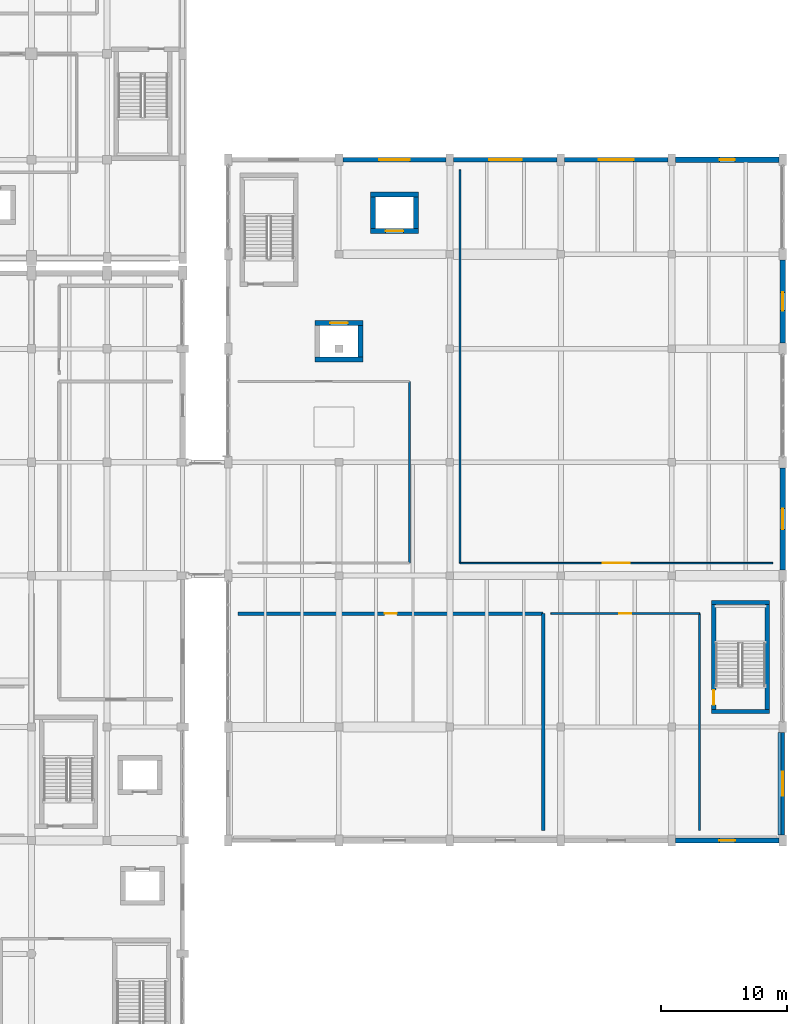
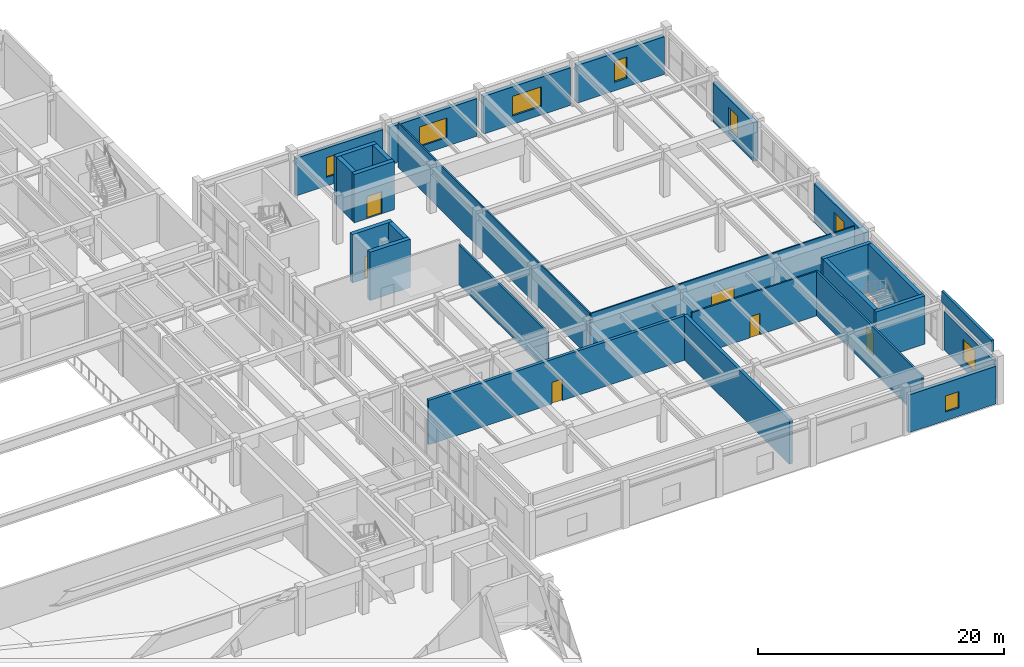
# One storey, part 67 of 85: 27 walls, 8 windows, 6 doors, 14 openings.
"""IFC4 building model written with IfcOpenShell, lengths in metres."""

import ifcopenshell
import ifcopenshell.guid

model = None  # the IFC model being written
_history = None  # IfcOwnerHistory: only IFC2X3 demands one
_inside = {}  # id of a spatial element -> (the spatial element, [elements in it])
_under = {}  # id of a project, library or spatial element -> (it, [spatial elements below it])
_declared = {}  # id of a project -> (the project, [libraries it declares])
_typed = {}  # id of a type object -> (the type object, [elements of that type])
_made_of = {}  # id of a material, layer set ... -> (it, [elements and type objects made of it])


def new_model(schema):
    """Start an empty IFC model of exactly this schema.

    Asked for "IFC4X3", IfcOpenShell would pick the latest addendum, in which some entities
    have other attributes; the version numbers below select the first issue.
    IFC2X3 requires an IfcOwnerHistory on every rooted entity: one is made here for all.
    """
    global model, _history
    if schema == "IFC4X3":
        model = ifcopenshell.file(schema_version=(4, 3, 0, 0))
    else:
        model = ifcopenshell.file(schema=schema)
    _inside.clear()
    _under.clear()
    _declared.clear()
    _typed.clear()
    _made_of.clear()
    _history = None
    if model.schema == "IFC2X3":
        org = make("IfcOrganization", Name="unknown")
        user = make(
            "IfcPersonAndOrganization",
            ThePerson=make("IfcPerson", FamilyName="unknown"),
            TheOrganization=org,
        )
        app = make(
            "IfcApplication",
            ApplicationDeveloper=org,
            Version="unknown",
            ApplicationFullName="unknown",
            ApplicationIdentifier="unknown",
        )
        _history = make(
            "IfcOwnerHistory",
            OwningUser=user,
            OwningApplication=app,
            ChangeAction="ADDED",
            CreationDate=0,
        )
    return model


def make(cls, **values):
    """One entity of the class cls with the attributes given. An attribute that is None is left unset."""
    return model.create_entity(
        cls, **{name: value for name, value in values.items() if value is not None}
    )


def rooted(cls, **values):
    """An entity with a GlobalId (a new one), such as an element, a storey or a relation."""
    return make(cls, GlobalId=ifcopenshell.guid.new(), OwnerHistory=_history, **values)


def si_unit(unit_type, name, prefix=None):
    """IfcSIUnit, for example si_unit("LENGTHUNIT", "METRE", prefix="MILLI")."""
    return make("IfcSIUnit", UnitType=unit_type, Prefix=prefix, Name=name)


def assignment(units):
    """IfcUnitAssignment: the units of a project."""
    return None if units is None else make("IfcUnitAssignment", Units=units)


def point(xyz):
    """IfcCartesianPoint."""
    return None if xyz is None else make("IfcCartesianPoint", Coordinates=xyz)


def direction(xyz):
    """IfcDirection."""
    return None if xyz is None else make("IfcDirection", DirectionRatios=xyz)


def frame(location, z_axis=None, x_axis=None):
    """IfcAxis2Placement3D, a coordinate frame: its origin and axes. An axis left out is left unset."""
    return make(
        "IfcAxis2Placement3D",
        Location=point(location),
        Axis=direction(z_axis),
        RefDirection=direction(x_axis),
    )


def frame_2d(location, x_axis=None):
    """IfcAxis2Placement2D, a coordinate frame in the plane: its origin and x axis."""
    return make(
        "IfcAxis2Placement2D", Location=point(location), RefDirection=direction(x_axis)
    )


def origin():
    """The frame at (0, 0, 0) with its axes left unset."""
    return frame((0.0, 0.0, 0.0))


def place(relative_to, where):
    """IfcLocalPlacement: puts the frame where relative to a parent placement (None: the world)."""
    return make(
        "IfcLocalPlacement", PlacementRelTo=relative_to, RelativePlacement=where
    )


def context(
    kind, dimensions, precision=None, world=None, true_north=None, identifier=None
):
    """IfcGeometricRepresentationContext, for example the 3D "Model" context."""
    return make(
        "IfcGeometricRepresentationContext",
        ContextIdentifier=identifier,
        ContextType=kind,
        CoordinateSpaceDimension=dimensions,
        Precision=precision,
        WorldCoordinateSystem=world,
        TrueNorth=true_north,
    )


def subcontext(parent, identifier, kind, view, scale=None):
    """IfcGeometricRepresentationSubContext, for example "Body" below "Model"."""
    return make(
        "IfcGeometricRepresentationSubContext",
        ContextIdentifier=identifier,
        ContextType=kind,
        ParentContext=parent,
        TargetScale=scale,
        TargetView=view,
    )


def project(units=None, contexts=None):
    """IfcProject with its units and contexts."""
    return rooted(
        "IfcProject",
        Name="project",
        RepresentationContexts=contexts,
        UnitsInContext=assignment(units),
    )


def spatial(cls, under=None, at=None, **own):
    """A site, building, storey or space (cls), placed at a placement, below another one or the project."""
    s = rooted(cls, ObjectPlacement=at, **own)
    if under is not None:
        _under.setdefault(under.id(), (under, []))[1].append(s)
    return s


def profile(cls, at=None, kind="AREA", **sizes):
    """A parametric profile (cls). Its sizes go by their IFC names, for example OverallWidth=200.0."""
    return make(cls, ProfileType=kind, Position=at, **sizes)


def rectangle(**sizes):
    """IfcRectangleProfileDef."""
    return profile("IfcRectangleProfileDef", **sizes)


def extrude(swept, where, along, depth):
    """IfcExtrudedAreaSolid: the profile swept, set in the frame where, extruded along a direction by depth."""
    return make(
        "IfcExtrudedAreaSolid",
        SweptArea=swept,
        Position=where,
        ExtrudedDirection=direction(along),
        Depth=depth,
    )


def shape(context_of_items, identifier, shape_type, items):
    """IfcShapeRepresentation: the items that make up one representation, for example the "Body"."""
    return make(
        "IfcShapeRepresentation",
        ContextOfItems=context_of_items,
        RepresentationIdentifier=identifier,
        RepresentationType=shape_type,
        Items=items,
    )


def material(Name=None, Category=None):
    """IfcMaterial."""
    return make("IfcMaterial", Name=Name, Category=Category)


def layer(
    of_material, thickness, ventilated=None, Name=None, Category=None, Priority=None
):
    """IfcMaterialLayer: one layer of a wall or slab, of a material (None: an air gap)."""
    return make(
        "IfcMaterialLayer",
        Material=of_material,
        LayerThickness=thickness,
        IsVentilated=ventilated,
        Name=Name,
        Category=Category,
        Priority=Priority,
    )


def layer_set(layers, Name=None):
    """IfcMaterialLayerSet."""
    return make("IfcMaterialLayerSet", MaterialLayers=layers, LayerSetName=Name)


def made_of(thing, what):
    """Note that an element or type object is made of a material, layer set ...; save() writes the relation."""
    if what is not None:
        _made_of.setdefault(what.id(), (what, []))[1].append(thing)
    return thing


def type_object(cls, material=None, **own):
    """A type object (cls), such as IfcWallType, which elements share."""
    return made_of(rooted(cls, **own), material)


def element(
    cls,
    number,
    at=None,
    inside=None,
    cuts=None,
    type_object=None,
    material=None,
    context=None,
    identifier="Body",
    shape_type=None,
    held_by="IfcProductDefinitionShape",
    body=None,
    shapes=None,
    **own,
):
    """One element of the class cls, such as IfcWall. Its Tag is "e" and its number.

    at: its placement. inside: the storey or other place that contains it. cuts: it is an
    opening in that element (IfcRelVoidsElement). A single representation is given by context,
    identifier, shape_type and body (its items); several are given by shapes. held_by: the class
    of the entity that holds the representations. save() writes the other relations.
    """
    e = rooted(cls, Tag="e%d" % number, ObjectPlacement=at, **own)
    if body is not None:
        shapes = [shape(context, identifier, shape_type, body)]
    if shapes is not None:
        e.Representation = make(held_by, Representations=shapes)
    if inside is not None:
        _inside.setdefault(inside.id(), (inside, []))[1].append(e)
    if cuts is not None:
        rooted(
            "IfcRelVoidsElement", RelatingBuildingElement=cuts, RelatedOpeningElement=e
        )
    if type_object is not None:
        _typed.setdefault(type_object.id(), (type_object, []))[1].append(e)
    return made_of(e, material)


def fill(opening, filler):
    """IfcRelFillsElement: the door or window that sits in an opening."""
    return rooted(
        "IfcRelFillsElement",
        RelatingOpeningElement=opening,
        RelatedBuildingElement=filler,
    )


def aggregate(whole, parts):
    """IfcRelAggregates: a whole, such as a stair, and the parts it consists of."""
    return rooted("IfcRelAggregates", RelatingObject=whole, RelatedObjects=parts)


def save(model, path):
    """Write the relations noted so far, then the file.

    IfcRelAggregates (storeys below a building ...), IfcRelContainedInSpatialStructure (elements
    in a storey), IfcRelDefinesByType, IfcRelAssociatesMaterial and IfcRelDeclares: one each for
    every whole, place, type object, material and project.
    """
    for whole, parts in _under.values():
        aggregate(whole, parts)
    for where, things in _inside.values():
        rooted(
            "IfcRelContainedInSpatialStructure",
            RelatedElements=things,
            RelatingStructure=where,
        )
    for kind, things in _typed.values():
        rooted("IfcRelDefinesByType", RelatedObjects=things, RelatingType=kind)
    for what, things in _made_of.values():
        rooted("IfcRelAssociatesMaterial", RelatedObjects=things, RelatingMaterial=what)
    for by, libraries in _declared.values():
        rooted("IfcRelDeclares", RelatingContext=by, RelatedDefinitions=libraries)
    model.write(path)


model = new_model("IFC4")

# Units and contexts
model_context = context("Model", 3, precision=1e-05, world=origin(), true_north=direction((0.0, 1.0)))
body_context = subcontext(model_context, "Body", "Model", "MODEL_VIEW")
ifc_project = project(units=[si_unit("LENGTHUNIT", "METRE"), si_unit("AREAUNIT", "SQUARE_METRE"), si_unit("VOLUMEUNIT", "CUBIC_METRE"), si_unit("PLANEANGLEUNIT", "RADIAN"), si_unit("MASSUNIT", "GRAM", prefix="KILO")], contexts=[model_context])

# Site, building, storey
site_placement = place(None, origin())
site = spatial("IfcSite", under=ifc_project, at=site_placement, CompositionType="ELEMENT")
building_placement = place(site_placement, origin())
building = spatial("IfcBuilding", under=site, at=building_placement, Name="Vaelkrest Opera House", CompositionType="ELEMENT")
storey_placement = place(building_placement, frame((0.0, 0.0, 10.199951171875)))
storey = spatial("IfcBuildingStorey", under=building, at=storey_placement, Name="L02", CompositionType="ELEMENT", Elevation=10.199951171875)

# Wall, opening, window
ifc_material_1 = material(Name="Douglas fir glulam GL28h", Category="wood")
ifc_layer_1 = layer(ifc_material_1, 0.2548828125)
ifc_layer_set_1 = layer_set([ifc_layer_1], Name="Douglas fir glulam GL28h")
wall_type_1 = type_object("IfcWallType", Name="EW01", PredefinedType="STANDARD", material=ifc_layer_set_1)
wall_1_placement = place(storey_placement, frame((77.60009765625, -20.248046875, 0.0), z_axis=(0.0, 0.0, 1.0), x_axis=(0.0, -1.0, 0.0)))
wall_1 = element("IfcWall", 1, at=wall_1_placement, inside=storey, type_object=wall_type_1, Name="Exterior facade wall EW-V4-L02-0261", PredefinedType="STANDARD", context=body_context, shape_type="SweptSolid", body=[
    extrude(rectangle(XDim=8.10400390625, YDim=0.2548828125, at=frame_2d((4.052001953125, 0.0))), origin(), (0.0, 0.0, 1.0), 3.8291015625),
])
opening_1_placement = place(wall_1_placement, frame((3.10205078125, 0.0, 0.85009765625)))
opening_1 = element("IfcOpeningElement", 2, at=opening_1_placement, cuts=wall_1, Name="Opening WN146", PredefinedType="OPENING", context=body_context, shape_type="SweptSolid", body=[
    extrude(rectangle(XDim=1.89990234375, YDim=2.10009765625, at=frame_2d((0.949951171875, 1.050048828125))), frame((0.0, 0.137451171875, 0.0), z_axis=(0.0, -1.0, 0.0), x_axis=(1.0, 0.0, 0.0)), (0.0, 0.0, 1.0), 0.27490234375),
])
ifc_material_2 = material(Name="Double low-E insulated glazing", Category="glass")
window_type_1 = type_object("IfcWindowType", Name="WT16", PartitioningType="SINGLE_PANEL", PredefinedType="WINDOW", material=ifc_material_2)
window_1_placement = place(opening_1_placement, origin())
window_1 = element("IfcWindow", 3, at=window_1_placement, inside=storey, type_object=window_type_1, Name="Facade window WN146", OverallHeight=2.10009765625, OverallWidth=1.89990234375, PartitioningType="SINGLE_PANEL", PredefinedType="WINDOW", context=body_context, shape_type="SweptSolid", body=[
    extrude(rectangle(XDim=1.89990234375, YDim=2.10009765625, at=frame_2d((0.949951171875, 1.050048828125))), frame((0.0, 0.030029296875, 0.0), z_axis=(0.0, -1.0, 0.0), x_axis=(1.0, 0.0, 0.0)), (0.0, 0.0, 1.0), 0.06005859375),
])
fill(opening_1, window_1)

ifc_material_3 = material(Name="American black walnut acoustic timber", Category="wood")
ifc_layer_2 = layer(ifc_material_3, 0.3349609375)
ifc_layer_set_2 = layer_set([ifc_layer_2], Name="American black walnut acoustic timber")
wall_type_2 = type_object("IfcWallType", Name="EW05", PredefinedType="STANDARD", material=ifc_layer_set_2)
wall_2_placement = place(storey_placement, frame((42.697998046875, 25.199951171875, 0.0), z_axis=(0.0, 0.0, 1.0), x_axis=(1.0, 0.0, 0.0)))
wall_2 = element("IfcWall", 4, at=wall_2_placement, inside=storey, type_object=wall_type_2, Name="Exterior facade wall EW-V4-L02-0255", PredefinedType="STANDARD", context=body_context, shape_type="SweptSolid", body=[
    extrude(rectangle(XDim=8.2041015625, YDim=0.3349609375, at=frame_2d((4.10205078125, 0.0))), origin(), (0.0, 0.0, 1.0), 3.7451171875),
])
opening_2_placement = place(wall_2_placement, frame((2.876953125, 0.0, 0.85009765625)))
opening_2 = element("IfcOpeningElement", 5, at=opening_2_placement, cuts=wall_2, Name="Opening WN140", PredefinedType="OPENING", context=body_context, shape_type="SweptSolid", body=[
    extrude(rectangle(XDim=2.449951171875, YDim=1.949951171875, at=frame_2d((1.22509765625, 0.97509765625))), frame((0.0, 0.177490234375, 0.0), z_axis=(0.0, -1.0, 0.0), x_axis=(1.0, 0.0, 0.0)), (0.0, 0.0, 1.0), 0.35498046875),
])
window_type_2 = type_object("IfcWindowType", Name="WT10", PartitioningType="SINGLE_PANEL", PredefinedType="WINDOW", material=ifc_material_2)
window_2_placement = place(opening_2_placement, origin())
window_2 = element("IfcWindow", 6, at=window_2_placement, inside=storey, type_object=window_type_2, Name="Facade window WN140", OverallHeight=1.949951171875, OverallWidth=2.449951171875, PartitioningType="SINGLE_PANEL", PredefinedType="WINDOW", context=body_context, shape_type="SweptSolid", body=[
    extrude(rectangle(XDim=2.449951171875, YDim=1.949951171875, at=frame_2d((1.22509765625, 0.97509765625))), frame((0.0, 0.030029296875, 0.0), z_axis=(0.0, -1.0, 0.0), x_axis=(1.0, 0.0, 0.0)), (0.0, 0.0, 1.0), 0.06005859375),
])
fill(opening_2, window_2)

ifc_layer_3 = layer(ifc_material_3, 0.360107421875)
ifc_layer_set_3 = layer_set([ifc_layer_3], Name="American black walnut acoustic timber")
wall_type_3 = type_object("IfcWallType", Name="EW06", PredefinedType="STANDARD", material=ifc_layer_set_3)
wall_3_placement = place(storey_placement, frame((51.498046875, 25.199951171875, 0.0), z_axis=(0.0, 0.0, 1.0), x_axis=(1.0, 0.0, 0.0)))
wall_3 = element("IfcWall", 7, at=wall_3_placement, inside=storey, type_object=wall_type_3, Name="Exterior facade wall EW-V4-L02-0256", PredefinedType="STANDARD", context=body_context, shape_type="SweptSolid", body=[
    extrude(rectangle(XDim=8.203857421875, YDim=0.360107421875, at=frame_2d((4.10205078125, 0.0))), origin(), (0.0, 0.0, 1.0), 3.7451171875),
])
opening_3_placement = place(wall_3_placement, frame((2.802001953125, 0.0, 0.85009765625)))
opening_3 = element("IfcOpeningElement", 8, at=opening_3_placement, cuts=wall_3, Name="Opening WN141", PredefinedType="OPENING", context=body_context, shape_type="SweptSolid", body=[
    extrude(rectangle(XDim=2.60009765625, YDim=1.949951171875, at=frame_2d((1.300048828125, 0.97509765625))), frame((0.0, 0.18994140625, 0.0), z_axis=(0.0, -1.0, 0.0), x_axis=(1.0, 0.0, 0.0)), (0.0, 0.0, 1.0), 0.380126953125),
])
window_type_3 = type_object("IfcWindowType", Name="WT11", PartitioningType="SINGLE_PANEL", PredefinedType="WINDOW", material=ifc_material_2)
window_3_placement = place(opening_3_placement, origin())
window_3 = element("IfcWindow", 9, at=window_3_placement, inside=storey, type_object=window_type_3, Name="Facade window WN141", OverallHeight=1.949951171875, OverallWidth=2.60009765625, PartitioningType="SINGLE_PANEL", PredefinedType="WINDOW", context=body_context, shape_type="SweptSolid", body=[
    extrude(rectangle(XDim=2.60009765625, YDim=1.949951171875, at=frame_2d((1.300048828125, 0.97509765625))), frame((0.0, 0.030029296875, 0.0), z_axis=(0.0, -1.0, 0.0), x_axis=(1.0, 0.0, 0.0)), (0.0, 0.0, 1.0), 0.06005859375),
])
fill(opening_3, window_3)

ifc_material_4 = material(Name="Concrete C40/50", Category="concrete")
ifc_layer_4 = layer(ifc_material_4, 0.385009765625)
ifc_layer_set_4 = layer_set([ifc_layer_4], Name="Concrete C40/50")
wall_type_4 = type_object("IfcWallType", Name="EW07", PredefinedType="STANDARD", material=ifc_layer_set_4)
wall_4_placement = place(storey_placement, frame((77.302001953125, -28.800048828125, 0.0), z_axis=(0.0, 0.0, 1.0), x_axis=(-1.0, 0.0, 0.0)))
wall_4 = element("IfcWall", 10, at=wall_4_placement, inside=storey, type_object=wall_type_4, Name="Exterior facade wall EW-V4-L02-0247", PredefinedType="STANDARD", context=body_context, shape_type="SweptSolid", body=[
    extrude(rectangle(XDim=8.2041015625, YDim=0.385009765625, at=frame_2d((4.10205078125, 0.0))), origin(), (0.0, 0.0, 1.0), 3.7451171875),
])
opening_4_placement = place(wall_4_placement, frame((3.47705078125, 0.0, 0.85009765625)))
opening_4 = element("IfcOpeningElement", 11, at=opening_4_placement, cuts=wall_4, Name="Opening WN132", PredefinedType="OPENING", context=body_context, shape_type="SweptSolid", body=[
    extrude(rectangle(XDim=1.25, YDim=1.60009765625, at=frame_2d((0.625, 0.800048828125))), frame((0.0, 0.202392578125, 0.0), z_axis=(0.0, -1.0, 0.0), x_axis=(1.0, 0.0, 0.0)), (0.0, 0.0, 1.0), 0.405029296875),
])
window_type_4 = type_object("IfcWindowType", Name="WT02", PartitioningType="SINGLE_PANEL", PredefinedType="WINDOW", material=ifc_material_2)
window_4_placement = place(opening_4_placement, origin())
window_4 = element("IfcWindow", 12, at=window_4_placement, inside=storey, type_object=window_type_4, Name="Facade window WN132", OverallHeight=1.60009765625, OverallWidth=1.25, PartitioningType="SINGLE_PANEL", PredefinedType="WINDOW", context=body_context, shape_type="SweptSolid", body=[
    extrude(rectangle(XDim=1.25, YDim=1.60009765625, at=frame_2d((0.625, 0.800048828125))), frame((0.0, 0.030029296875, 0.0), z_axis=(0.0, -1.0, 0.0), x_axis=(1.0, 0.0, 0.0)), (0.0, 0.0, 1.0), 0.06005859375),
])
fill(opening_4, window_4)

wall_5_placement = place(storey_placement, frame((60.298095703125, 25.199951171875, 0.0), z_axis=(0.0, 0.0, 1.0), x_axis=(1.0, 0.0, 0.0)))
wall_5 = element("IfcWall", 13, at=wall_5_placement, inside=storey, type_object=wall_type_4, Name="Exterior facade wall EW-V4-L02-0257", PredefinedType="STANDARD", context=body_context, shape_type="SweptSolid", body=[
    extrude(rectangle(XDim=8.203857421875, YDim=0.385009765625, at=frame_2d((4.10205078125, 0.0))), origin(), (0.0, 0.0, 1.0), 3.7451171875),
])
opening_5_placement = place(wall_5_placement, frame((2.72705078125, 0.0, 0.85009765625)))
opening_5 = element("IfcOpeningElement", 14, at=opening_5_placement, cuts=wall_5, Name="Opening WN142", PredefinedType="OPENING", context=body_context, shape_type="SweptSolid", body=[
    extrude(rectangle(XDim=2.75, YDim=1.949951171875, at=frame_2d((1.375, 0.97509765625))), frame((0.0, 0.202392578125, 0.0), z_axis=(0.0, -1.0, 0.0), x_axis=(1.0, 0.0, 0.0)), (0.0, 0.0, 1.0), 0.405029296875),
])
window_type_5 = type_object("IfcWindowType", Name="WT12", PartitioningType="SINGLE_PANEL", PredefinedType="WINDOW", material=ifc_material_2)
window_5_placement = place(opening_5_placement, origin())
window_5 = element("IfcWindow", 15, at=window_5_placement, inside=storey, type_object=window_type_5, Name="Facade window WN142", OverallHeight=1.949951171875, OverallWidth=2.75, PartitioningType="SINGLE_PANEL", PredefinedType="WINDOW", context=body_context, shape_type="SweptSolid", body=[
    extrude(rectangle(XDim=2.75, YDim=1.949951171875, at=frame_2d((1.375, 0.97509765625))), frame((0.0, 0.030029296875, 0.0), z_axis=(0.0, -1.0, 0.0), x_axis=(1.0, 0.0, 0.0)), (0.0, 0.0, 1.0), 0.06005859375),
])
fill(opening_5, window_5)

ifc_layer_5 = layer(ifc_material_4, 0.409912109375)
ifc_layer_set_5 = layer_set([ifc_layer_5], Name="Concrete C40/50")
wall_type_5 = type_object("IfcWallType", Name="EW08", PredefinedType="STANDARD", material=ifc_layer_set_5)
wall_6_placement = place(storey_placement, frame((69.097900390625, 25.199951171875, 0.0), z_axis=(0.0, 0.0, 1.0), x_axis=(1.0, 0.0, 0.0)))
wall_6 = element("IfcWall", 16, at=wall_6_placement, inside=storey, type_object=wall_type_5, Name="Exterior facade wall EW-V4-L02-0258", PredefinedType="STANDARD", context=body_context, shape_type="SweptSolid", body=[
    extrude(rectangle(XDim=8.2041015625, YDim=0.409912109375, at=frame_2d((4.10205078125, 0.0))), origin(), (0.0, 0.0, 1.0), 3.7451171875),
])
opening_6_placement = place(wall_6_placement, frame((3.501953125, 0.0, 0.85009765625)))
opening_6 = element("IfcOpeningElement", 17, at=opening_6_placement, cuts=wall_6, Name="Opening WN143", PredefinedType="OPENING", context=body_context, shape_type="SweptSolid", body=[
    extrude(rectangle(XDim=1.199951171875, YDim=2.10009765625, at=frame_2d((0.60009765625, 1.050048828125))), frame((0.0, 0.21484375, 0.0), z_axis=(0.0, -1.0, 0.0), x_axis=(1.0, 0.0, 0.0)), (0.0, 0.0, 1.0), 0.429931640625),
])
window_type_6 = type_object("IfcWindowType", Name="WT13", PartitioningType="SINGLE_PANEL", PredefinedType="WINDOW", material=ifc_material_2)
window_6_placement = place(opening_6_placement, origin())
window_6 = element("IfcWindow", 18, at=window_6_placement, inside=storey, type_object=window_type_6, Name="Facade window WN143", OverallHeight=2.10009765625, OverallWidth=1.199951171875, PartitioningType="SINGLE_PANEL", PredefinedType="WINDOW", context=body_context, shape_type="SweptSolid", body=[
    extrude(rectangle(XDim=1.199951171875, YDim=2.10009765625, at=frame_2d((0.60009765625, 1.050048828125))), frame((0.0, 0.030029296875, 0.0), z_axis=(0.0, -1.0, 0.0), x_axis=(1.0, 0.0, 0.0)), (0.0, 0.0, 1.0), 0.06005859375),
])
fill(opening_6, window_6)

ifc_layer_6 = layer(ifc_material_4, 0.43505859375)
ifc_layer_set_6 = layer_set([ifc_layer_6], Name="Concrete C40/50")
wall_type_6 = type_object("IfcWallType", Name="EW09", PredefinedType="STANDARD", material=ifc_layer_set_6)
wall_7_placement = place(storey_placement, frame((77.60009765625, 17.251953125, 0.0), z_axis=(0.0, 0.0, 1.0), x_axis=(0.0, -1.0, 0.0)))
wall_7 = element("IfcWall", 19, at=wall_7_placement, inside=storey, type_object=wall_type_6, Name="Exterior facade wall EW-V4-L02-0259", PredefinedType="STANDARD", context=body_context, shape_type="SweptSolid", body=[
    extrude(rectangle(XDim=6.60400390625, YDim=0.43505859375, at=frame_2d((3.302001953125, 0.0))), origin(), (0.0, 0.0, 1.0), 3.8291015625),
])
opening_7_placement = place(wall_7_placement, frame((2.576904296875, 0.0, 0.85009765625)))
opening_7 = element("IfcOpeningElement", 20, at=opening_7_placement, cuts=wall_7, Name="Opening WN144", PredefinedType="OPENING", context=body_context, shape_type="SweptSolid", body=[
    extrude(rectangle(XDim=1.449951171875, YDim=2.10009765625, at=frame_2d((0.72509765625, 1.050048828125))), frame((0.0, 0.2275390625, 0.0), z_axis=(0.0, -1.0, 0.0), x_axis=(1.0, 0.0, 0.0)), (0.0, 0.0, 1.0), 0.455078125),
])
window_type_7 = type_object("IfcWindowType", Name="WT14", PartitioningType="SINGLE_PANEL", PredefinedType="WINDOW", material=ifc_material_2)
window_7_placement = place(opening_7_placement, origin())
window_7 = element("IfcWindow", 21, at=window_7_placement, inside=storey, type_object=window_type_7, Name="Facade window WN144", OverallHeight=2.10009765625, OverallWidth=1.449951171875, PartitioningType="SINGLE_PANEL", PredefinedType="WINDOW", context=body_context, shape_type="SweptSolid", body=[
    extrude(rectangle(XDim=1.449951171875, YDim=2.10009765625, at=frame_2d((0.72509765625, 1.050048828125))), frame((0.0, 0.030029296875, 0.0), z_axis=(0.0, -1.0, 0.0), x_axis=(1.0, 0.0, 0.0)), (0.0, 0.0, 1.0), 0.06005859375),
])
fill(opening_7, window_7)

ifc_layer_7 = layer(ifc_material_4, 0.465087890625)
ifc_layer_set_7 = layer_set([ifc_layer_7], Name="Concrete C40/50")
wall_type_7 = type_object("IfcWallType", Name="EW10", PredefinedType="STANDARD", material=ifc_layer_set_7)
wall_8_placement = place(storey_placement, frame((77.60009765625, 0.751953125, 0.0), z_axis=(0.0, 0.0, 1.0), x_axis=(0.0, -1.0, 0.0)))
wall_8 = element("IfcWall", 22, at=wall_8_placement, inside=storey, type_object=wall_type_7, Name="Exterior facade wall EW-V4-L02-0260", PredefinedType="STANDARD", context=body_context, shape_type="SweptSolid", body=[
    extrude(rectangle(XDim=8.10400390625, YDim=0.465087890625, at=frame_2d((4.052001953125, 0.0))), origin(), (0.0, 0.0, 1.0), 3.8291015625),
])
opening_8_placement = place(wall_8_placement, frame((3.22705078125, 0.0, 0.85009765625)))
opening_8 = element("IfcOpeningElement", 23, at=opening_8_placement, cuts=wall_8, Name="Opening WN145", PredefinedType="OPENING", context=body_context, shape_type="SweptSolid", body=[
    extrude(rectangle(XDim=1.64990234375, YDim=2.10009765625, at=frame_2d((0.824951171875, 1.050048828125))), frame((0.0, 0.242431640625, 0.0), z_axis=(0.0, -1.0, 0.0), x_axis=(1.0, 0.0, 0.0)), (0.0, 0.0, 1.0), 0.485107421875),
])
window_type_8 = type_object("IfcWindowType", Name="WT15", PartitioningType="SINGLE_PANEL", PredefinedType="WINDOW", material=ifc_material_2)
window_8_placement = place(opening_8_placement, origin())
window_8 = element("IfcWindow", 24, at=window_8_placement, inside=storey, type_object=window_type_8, Name="Facade window WN145", OverallHeight=2.10009765625, OverallWidth=1.64990234375, PartitioningType="SINGLE_PANEL", PredefinedType="WINDOW", context=body_context, shape_type="SweptSolid", body=[
    extrude(rectangle(XDim=1.64990234375, YDim=2.10009765625, at=frame_2d((0.824951171875, 1.050048828125))), frame((0.0, 0.030029296875, 0.0), z_axis=(0.0, -1.0, 0.0), x_axis=(1.0, 0.0, 0.0)), (0.0, 0.0, 1.0), 0.06005859375),
])
fill(opening_8, window_8)

# Wall
ifc_layer_8 = layer(ifc_material_4, 0.22998046875)
ifc_layer_set_8 = layer_set([ifc_layer_8], Name="Concrete C40/50")
wall_type_8 = type_object("IfcWallType", Name="PP02", PredefinedType="PARAPET", material=ifc_layer_set_8)
wall_9_placement = place(storey_placement, frame((77.35009765625, -28.35009765625, 4.800048828125), z_axis=(0.0, 0.0, 1.0), x_axis=(0.0, 1.0, 0.0)))
element("IfcWall", 25, at=wall_9_placement, inside=storey, type_object=wall_type_8, Name="Roof parapet 16", PredefinedType="PARAPET", context=body_context, shape_type="SweptSolid", body=[
    extrude(rectangle(XDim=8.10009765625, YDim=0.22998046875, at=frame_2d((4.050048828125, 0.0))), origin(), (0.0, 0.0, 1.0), 1.14990234375),
])

# Wall, opening, door
ifc_material_5 = material(Name="Gypsum acoustic board", Category="gypsum")
ifc_layer_9 = layer(ifc_material_5, 0.1201171875)
ifc_layer_set_9 = layer_set([ifc_layer_9], Name="Gypsum acoustic board")
wall_type_9 = type_object("IfcWallType", Name="PT01", PredefinedType="PARTITIONING", material=ifc_layer_set_9)
wall_10_placement = place(storey_placement, frame((52.0, -6.800048828125, 0.0), z_axis=(0.0, 0.0, 1.0), x_axis=(1.0, 0.0, 0.0)))
wall_10 = element("IfcWall", 26, at=wall_10_placement, inside=storey, type_object=wall_type_9, Name="Interior partition PT-V4-L02-0379", PredefinedType="PARTITIONING", context=body_context, shape_type="SweptSolid", body=[
    extrude(rectangle(XDim=24.800048828125, YDim=0.1201171875, at=frame_2d((12.39990234375, 0.0))), origin(), (0.0, 0.0, 1.0), 4.420166015625),
])
opening_9_placement = place(wall_10_placement, frame((11.324951171875, 0.0, 0.0)))
opening_9 = element("IfcOpeningElement", 27, at=opening_9_placement, cuts=wall_10, Name="Opening D155", PredefinedType="OPENING", context=body_context, shape_type="SweptSolid", body=[
    extrude(rectangle(XDim=2.14990234375, YDim=2.39990234375, at=frame_2d((1.074951171875, 1.199951171875))), frame((0.0, 0.070068359375, 0.0), z_axis=(0.0, -1.0, 0.0), x_axis=(1.0, 0.0, 0.0)), (0.0, 0.0, 1.0), 0.14013671875),
])
door_type_1 = type_object("IfcDoorType", Name="DT17", OperationType="DOUBLE_DOOR_SINGLE_SWING", PredefinedType="DOOR", material=ifc_material_3)
door_1_placement = place(opening_9_placement, origin())
door_1 = element("IfcDoor", 28, at=door_1_placement, inside=storey, type_object=door_type_1, Name="Interior door D155 (Costume Workshop)", OperationType="DOUBLE_DOOR_SINGLE_SWING", OverallHeight=2.39990234375, OverallWidth=2.14990234375, PredefinedType="DOOR", context=body_context, shape_type="SweptSolid", body=[
    extrude(rectangle(XDim=2.14990234375, YDim=2.39990234375, at=frame_2d((1.074951171875, 1.199951171875))), frame((0.0, 0.02490234375, 0.0), z_axis=(0.0, -1.0, 0.0), x_axis=(1.0, 0.0, 0.0)), (0.0, 0.0, 1.0), 0.050048828125),
])
fill(opening_9, door_1)

# Walls
ifc_layer_10 = layer(ifc_material_5, 0.135009765625)
ifc_layer_set_10 = layer_set([ifc_layer_10], Name="Gypsum acoustic board")
wall_type_10 = type_object("IfcWallType", Name="PT02", PredefinedType="PARTITIONING", material=ifc_layer_set_10)
wall_11_placement = place(storey_placement, frame((52.0, -6.800048828125, 0.0), z_axis=(0.0, 0.0, 1.0), x_axis=(0.0, 1.0, 0.0)))
element("IfcWall", 29, at=wall_11_placement, inside=storey, type_object=wall_type_10, Name="Interior partition PT-V4-L02-0380", PredefinedType="PARTITIONING", context=body_context, shape_type="SweptSolid", body=[
    extrude(rectangle(XDim=31.199951171875, YDim=0.135009765625, at=frame_2d((15.60009765625, 0.0))), origin(), (0.0, 0.0, 1.0), 4.420166015625),
])
ifc_layer_11 = layer(ifc_material_5, 0.179931640625)
ifc_layer_set_11 = layer_set([ifc_layer_11], Name="Gypsum acoustic board")
wall_type_11 = type_object("IfcWallType", Name="PT05", PredefinedType="PARTITIONING", material=ifc_layer_set_11)
wall_12_placement = place(storey_placement, frame((48.0, -6.800048828125, 0.0), z_axis=(0.0, 0.0, 1.0), x_axis=(0.0, 1.0, 0.0)))
element("IfcWall", 30, at=wall_12_placement, inside=storey, type_object=wall_type_11, Name="Interior partition PT-V4-L02-0383", PredefinedType="PARTITIONING", context=body_context, shape_type="SweptSolid", body=[
    extrude(rectangle(XDim=14.400146484375, YDim=0.179931640625, at=frame_2d((7.2001953125, 0.0))), origin(), (0.0, 0.0, 1.0), 3.97705078125),
])

# Wall, opening, door
ifc_layer_12 = layer(ifc_material_4, 0.280029296875)
ifc_layer_set_12 = layer_set([ifc_layer_12], Name="Concrete C40/50")
wall_type_12 = type_object("IfcWallType", Name="PT11", PredefinedType="PARTITIONING", material=ifc_layer_set_12)
wall_13_placement = place(storey_placement, frame((34.39990234375, -10.800048828125, 0.0), z_axis=(0.0, 0.0, 1.0), x_axis=(1.0, 0.0, 0.0)))
wall_13 = element("IfcWall", 31, at=wall_13_placement, inside=storey, type_object=wall_type_12, Name="Interior partition PT-V4-L02-0375", PredefinedType="PARTITIONING", context=body_context, shape_type="SweptSolid", body=[
    extrude(rectangle(XDim=24.2001953125, YDim=0.280029296875, at=frame_2d((12.10009765625, 0.0))), origin(), (0.0, 0.0, 1.0), 4.420166015625),
])
opening_10_placement = place(wall_13_placement, frame((11.610107421875, 0.0, 0.0)))
opening_10 = element("IfcOpeningElement", 32, at=opening_10_placement, cuts=wall_13, Name="Opening D153", PredefinedType="OPENING", context=body_context, shape_type="SweptSolid", body=[
    extrude(rectangle(XDim=0.97998046875, YDim=2.14990234375, at=frame_2d((0.489990234375, 1.074951171875))), frame((0.0, 0.14990234375, 0.0), z_axis=(0.0, -1.0, 0.0), x_axis=(1.0, 0.0, 0.0)), (0.0, 0.0, 1.0), 0.300048828125),
])
door_type_2 = type_object("IfcDoorType", Name="DT03", OperationType="NOTDEFINED", PredefinedType="DOOR", material=ifc_material_3)
door_2_placement = place(opening_10_placement, origin())
door_2 = element("IfcDoor", 33, at=door_2_placement, inside=storey, type_object=door_type_2, Name="Interior door D153 (Chorus Dressing Room)", OperationType="SINGLE_SWING_LEFT", OverallHeight=2.14990234375, OverallWidth=0.97998046875, PredefinedType="DOOR", context=body_context, shape_type="SweptSolid", body=[
    extrude(rectangle(XDim=0.97998046875, YDim=2.14990234375, at=frame_2d((0.489990234375, 1.074951171875))), frame((0.0, 0.02490234375, 0.0), z_axis=(0.0, -1.0, 0.0), x_axis=(1.0, 0.0, 0.0)), (0.0, 0.0, 1.0), 0.050048828125),
])
fill(opening_10, door_2)

# Wall
ifc_layer_13 = layer(ifc_material_4, 0.304931640625)
ifc_layer_set_13 = layer_set([ifc_layer_13], Name="Concrete C40/50")
wall_type_13 = type_object("IfcWallType", Name="PT12", PredefinedType="PARTITIONING", material=ifc_layer_set_13)
wall_14_placement = place(storey_placement, frame((58.60009765625, -28.0, 0.0), z_axis=(0.0, 0.0, 1.0), x_axis=(0.0, 1.0, 0.0)))
element("IfcWall", 34, at=wall_14_placement, inside=storey, type_object=wall_type_13, Name="Interior partition PT-V4-L02-0376", PredefinedType="PARTITIONING", context=body_context, shape_type="SweptSolid", body=[
    extrude(rectangle(XDim=17.199951171875, YDim=0.304931640625, at=frame_2d((8.60009765625, 0.0))), origin(), (0.0, 0.0, 1.0), 4.420166015625),
])

# Wall, opening, door
ifc_layer_14 = layer(ifc_material_5, 0.14501953125)
ifc_layer_set_14 = layer_set([ifc_layer_14], Name="Gypsum acoustic board")
wall_type_14 = type_object("IfcWallType", Name="PT13", PredefinedType="PARTITIONING", material=ifc_layer_set_14)
wall_15_placement = place(storey_placement, frame((59.199951171875, -10.800048828125, 0.0), z_axis=(0.0, 0.0, 1.0), x_axis=(1.0, 0.0, 0.0)))
wall_15 = element("IfcWall", 35, at=wall_15_placement, inside=storey, type_object=wall_type_14, Name="Interior partition PT-V4-L02-0377", PredefinedType="PARTITIONING", context=body_context, shape_type="SweptSolid", body=[
    extrude(rectangle(XDim=11.800048828125, YDim=0.14501953125, at=frame_2d((5.89990234375, 0.0))), origin(), (0.0, 0.0, 1.0), 4.420166015625),
])
opening_11_placement = place(wall_15_placement, frame((5.429931640625, 0.0, 0.0)))
opening_11 = element("IfcOpeningElement", 36, at=opening_11_placement, cuts=wall_15, Name="Opening D154", PredefinedType="OPENING", context=body_context, shape_type="SweptSolid", body=[
    extrude(rectangle(XDim=0.93994140625, YDim=2.10009765625, at=frame_2d((0.469970703125, 1.050048828125))), frame((0.0, 0.08251953125, 0.0), z_axis=(0.0, -1.0, 0.0), x_axis=(1.0, 0.0, 0.0)), (0.0, 0.0, 1.0), 0.1650390625),
])
door_type_3 = type_object("IfcDoorType", Name="DT02", OperationType="NOTDEFINED", PredefinedType="DOOR", material=ifc_material_3)
door_3_placement = place(opening_11_placement, origin())
door_3 = element("IfcDoor", 37, at=door_3_placement, inside=storey, type_object=door_type_3, Name="Interior door D154 (Dressing En-Suite Washroom)", OperationType="SINGLE_SWING_RIGHT", OverallHeight=2.10009765625, OverallWidth=0.93994140625, PredefinedType="DOOR", context=body_context, shape_type="SweptSolid", body=[
    extrude(rectangle(XDim=0.93994140625, YDim=2.10009765625, at=frame_2d((0.469970703125, 1.050048828125))), frame((0.0, 0.02490234375, 0.0), z_axis=(0.0, -1.0, 0.0), x_axis=(1.0, 0.0, 0.0)), (0.0, 0.0, 1.0), 0.050048828125),
])
fill(opening_11, door_3)

# Walls
ifc_layer_15 = layer(ifc_material_3, 0.175048828125)
ifc_layer_set_15 = layer_set([ifc_layer_15], Name="American black walnut acoustic timber")
wall_type_15 = type_object("IfcWallType", Name="PT14", PredefinedType="PARTITIONING", material=ifc_layer_set_15)
wall_16_placement = place(storey_placement, frame((71.0, -28.0, 0.0), z_axis=(0.0, 0.0, 1.0), x_axis=(0.0, 1.0, 0.0)))
element("IfcWall", 38, at=wall_16_placement, inside=storey, type_object=wall_type_15, Name="Interior partition PT-V4-L02-0378", PredefinedType="PARTITIONING", context=body_context, shape_type="SweptSolid", body=[
    extrude(rectangle(XDim=17.199951171875, YDim=0.175048828125, at=frame_2d((8.60009765625, 0.0))), origin(), (0.0, 0.0, 1.0), 4.420166015625),
])
ifc_material_6 = material(Name="Concrete C50/60", Category="concrete")
ifc_layer_16 = layer(ifc_material_6, 0.35009765625)
ifc_layer_set_16 = layer_set([ifc_layer_16], Name="Concrete C50/60")
wall_type_16 = type_object("IfcWallType", Name="SW01", PredefinedType="SHEAR", material=ifc_layer_set_16)
wall_17_placement = place(storey_placement, frame((76.550048828125, -18.574951171875, 0.0), z_axis=(0.0, 0.0, 1.0), x_axis=(-1.0, 0.0, 0.0)))
element("IfcWall", 39, at=wall_17_placement, inside=storey, type_object=wall_type_16, Name="Stair core ST10 wall L02 S", PredefinedType="SHEAR", context=body_context, shape_type="SweptSolid", body=[
    extrude(rectangle(XDim=4.60009765625, YDim=0.35009765625, at=frame_2d((2.300048828125, 0.0))), origin(), (0.0, 0.0, 1.0), 4.800048828125),
])

# Wall, opening, door
wall_18_placement = place(storey_placement, frame((72.125, -18.39990234375, 0.0), z_axis=(0.0, 0.0, 1.0), x_axis=(0.0, 1.0, 0.0)))
wall_18 = element("IfcWall", 40, at=wall_18_placement, inside=storey, type_object=wall_type_16, Name="Stair core ST10 wall L02 W", PredefinedType="SHEAR", context=body_context, shape_type="SweptSolid", body=[
    extrude(rectangle(XDim=8.2998046875, YDim=0.35009765625, at=frame_2d((4.14990234375, 0.0))), origin(), (0.0, 0.0, 1.0), 4.800048828125),
])
opening_12_placement = place(wall_18_placement, frame((0.35009765625, 0.0, 0.0)))
opening_12 = element("IfcOpeningElement", 41, at=opening_12_placement, cuts=wall_18, Name="Opening SD-ST10-L02", PredefinedType="OPENING", context=body_context, shape_type="SweptSolid", body=[
    extrude(rectangle(XDim=1.179931640625, YDim=2.14990234375, at=frame_2d((0.58984375, 1.074951171875))), frame((0.0, 0.18505859375, 0.0), z_axis=(0.0, -1.0, 0.0), x_axis=(1.0, 0.0, 0.0)), (0.0, 0.0, 1.0), 0.3701171875),
])
door_type_4 = type_object("IfcDoorType", Name="DT07", OperationType="NOTDEFINED", PredefinedType="DOOR", material=ifc_material_3)
door_4_placement = place(opening_12_placement, origin())
door_4 = element("IfcDoor", 42, at=door_4_placement, inside=storey, type_object=door_type_4, Name="Protected stair door SD-ST10-L02", OperationType="SINGLE_SWING_RIGHT", OverallHeight=2.14990234375, OverallWidth=1.179931640625, PredefinedType="DOOR", context=body_context, shape_type="SweptSolid", body=[
    extrude(rectangle(XDim=1.179931640625, YDim=2.14990234375, at=frame_2d((0.58984375, 1.074951171875))), frame((0.0, 0.02490234375, 0.0), z_axis=(0.0, -1.0, 0.0), x_axis=(1.0, 0.0, 0.0)), (0.0, 0.0, 1.0), 0.050048828125),
])
fill(opening_12, door_4)

# Walls
wall_19_placement = place(storey_placement, frame((71.949951171875, -9.925048828125, 0.0), z_axis=(0.0, 0.0, 1.0), x_axis=(1.0, 0.0, 0.0)))
element("IfcWall", 43, at=wall_19_placement, inside=storey, type_object=wall_type_16, Name="Stair core ST10 wall L02 N", PredefinedType="SHEAR", context=body_context, shape_type="SweptSolid", body=[
    extrude(rectangle(XDim=4.60009765625, YDim=0.35009765625, at=frame_2d((2.300048828125, 0.0))), origin(), (0.0, 0.0, 1.0), 4.800048828125),
])
wall_20_placement = place(storey_placement, frame((76.375, -10.10009765625, 0.0), z_axis=(0.0, 0.0, 1.0), x_axis=(0.0, -1.0, 0.0)))
element("IfcWall", 44, at=wall_20_placement, inside=storey, type_object=wall_type_16, Name="Stair core ST10 wall L02 E", PredefinedType="SHEAR", context=body_context, shape_type="SweptSolid", body=[
    extrude(rectangle(XDim=8.2998046875, YDim=0.35009765625, at=frame_2d((4.14990234375, 0.0))), origin(), (0.0, 0.0, 1.0), 4.800048828125),
])
ifc_layer_17 = layer(ifc_material_6, 0.389892578125)
ifc_layer_set_17 = layer_set([ifc_layer_17], Name="Concrete C50/60")
wall_type_17 = type_object("IfcWallType", Name="SW02", PredefinedType="SHEAR", material=ifc_layer_set_17)
wall_21_placement = place(storey_placement, frame((44.2900390625, 9.35498046875, 0.0), z_axis=(0.0, 0.0, 1.0), x_axis=(-1.0, 0.0, 0.0)))
element("IfcWall", 45, at=wall_21_placement, inside=storey, type_object=wall_type_17, Name="Lift shaft LP06 wall L02 S", PredefinedType="SHEAR", context=body_context, shape_type="SweptSolid", body=[
    extrude(rectangle(XDim=3.780029296875, YDim=0.389892578125, at=frame_2d((1.89013671875, 0.0))), origin(), (0.0, 0.0, 1.0), 4.800048828125),
])

# Wall, opening, door
wall_22_placement = place(storey_placement, frame((40.510009765625, 12.2451171875, 0.0), z_axis=(0.0, 0.0, 1.0), x_axis=(1.0, 0.0, 0.0)))
wall_22 = element("IfcWall", 46, at=wall_22_placement, inside=storey, type_object=wall_type_17, Name="Lift shaft LP06 wall L02 N", PredefinedType="SHEAR", context=body_context, shape_type="SweptSolid", body=[
    extrude(rectangle(XDim=3.780029296875, YDim=0.389892578125, at=frame_2d((1.89013671875, 0.0))), origin(), (0.0, 0.0, 1.0), 4.800048828125),
])
opening_13_placement = place(wall_22_placement, frame((1.18994140625, 0.0, 0.0)))
opening_13 = element("IfcOpeningElement", 47, at=opening_13_placement, cuts=wall_22, Name="Opening LD-LP06-L02", PredefinedType="OPENING", context=body_context, shape_type="SweptSolid", body=[
    extrude(rectangle(XDim=1.39990234375, YDim=2.199951171875, at=frame_2d((0.699951171875, 1.10009765625))), frame((0.0, 0.204833984375, 0.0), z_axis=(0.0, -1.0, 0.0), x_axis=(1.0, 0.0, 0.0)), (0.0, 0.0, 1.0), 0.409912109375),
])
ifc_material_7 = material(Name="Dark bronze anodized aluminium", Category="aluminium")
door_type_5 = type_object("IfcDoorType", Name="LDT02", OperationType="SLIDING_TO_LEFT", PredefinedType="DOOR", material=ifc_material_7)
door_5_placement = place(opening_13_placement, origin())
door_5 = element("IfcDoor", 48, at=door_5_placement, inside=storey, type_object=door_type_5, Name="Lift landing sliding door LD-LP06-L02", OperationType="SLIDING_TO_LEFT", OverallHeight=2.199951171875, OverallWidth=1.39990234375, PredefinedType="DOOR", context=body_context, shape_type="SweptSolid", body=[
    extrude(rectangle(XDim=1.39990234375, YDim=2.199951171875, at=frame_2d((0.699951171875, 1.10009765625))), frame((0.0, 0.02490234375, 0.0), z_axis=(0.0, -1.0, 0.0), x_axis=(1.0, 0.0, 0.0)), (0.0, 0.0, 1.0), 0.050048828125),
])
fill(opening_13, door_5)

# Wall
wall_23_placement = place(storey_placement, frame((44.094970703125, 12.050048828125, 0.0), z_axis=(0.0, 0.0, 1.0), x_axis=(0.0, -1.0, 0.0)))
element("IfcWall", 49, at=wall_23_placement, inside=storey, type_object=wall_type_17, Name="Lift shaft LP06 wall L02 E", PredefinedType="SHEAR", context=body_context, shape_type="SweptSolid", body=[
    extrude(rectangle(XDim=2.5, YDim=0.389892578125, at=frame_2d((1.25, 0.0))), origin(), (0.0, 0.0, 1.0), 4.800048828125),
])

# Wall, opening, door
wall_24_placement = place(storey_placement, frame((48.68994140625, 19.554931640625, 0.0), z_axis=(0.0, 0.0, 1.0), x_axis=(-1.0, 0.0, 0.0)))
wall_24 = element("IfcWall", 50, at=wall_24_placement, inside=storey, type_object=wall_type_17, Name="Lift shaft LS01 wall L02 S", PredefinedType="SHEAR", context=body_context, shape_type="SweptSolid", body=[
    extrude(rectangle(XDim=3.780029296875, YDim=0.389892578125, at=frame_2d((1.89013671875, 0.0))), origin(), (0.0, 0.0, 1.0), 4.800048828125),
])
opening_14_placement = place(wall_24_placement, frame((1.18994140625, 0.0, 0.0)))
opening_14 = element("IfcOpeningElement", 51, at=opening_14_placement, cuts=wall_24, Name="Opening LD-LS01-L02", PredefinedType="OPENING", context=body_context, shape_type="SweptSolid", body=[
    extrude(rectangle(XDim=1.39990234375, YDim=2.199951171875, at=frame_2d((0.699951171875, 1.10009765625))), frame((0.0, 0.204833984375, 0.0), z_axis=(0.0, -1.0, 0.0), x_axis=(1.0, 0.0, 0.0)), (0.0, 0.0, 1.0), 0.409912109375),
])
door_6_placement = place(opening_14_placement, origin())
door_6 = element("IfcDoor", 52, at=door_6_placement, inside=storey, type_object=door_type_5, Name="Lift landing sliding door LD-LS01-L02", OperationType="SLIDING_TO_LEFT", OverallHeight=2.199951171875, OverallWidth=1.39990234375, PredefinedType="DOOR", context=body_context, shape_type="SweptSolid", body=[
    extrude(rectangle(XDim=1.39990234375, YDim=2.199951171875, at=frame_2d((0.699951171875, 1.10009765625))), frame((0.0, 0.02490234375, 0.0), z_axis=(0.0, -1.0, 0.0), x_axis=(1.0, 0.0, 0.0)), (0.0, 0.0, 1.0), 0.050048828125),
])
fill(opening_14, door_6)

# Walls
wall_25_placement = place(storey_placement, frame((44.909912109375, 22.445068359375, 0.0), z_axis=(0.0, 0.0, 1.0), x_axis=(1.0, 0.0, 0.0)))
element("IfcWall", 53, at=wall_25_placement, inside=storey, type_object=wall_type_17, Name="Lift shaft LS01 wall L02 N", PredefinedType="SHEAR", context=body_context, shape_type="SweptSolid", body=[
    extrude(rectangle(XDim=3.780029296875, YDim=0.389892578125, at=frame_2d((1.89013671875, 0.0))), origin(), (0.0, 0.0, 1.0), 4.800048828125),
])
for number, where, z_axis, x_axis, name in (
    (54, (45.10498046875, 19.75, 0.0), (0.0, 0.0, 1.0), (0.0, 1.0, 0.0), "Lift shaft LS01 wall L02 W"),
    (55, (48.4951171875, 22.25, 0.0), (0.0, 0.0, 1.0), (0.0, -1.0, 0.0), "Lift shaft LS01 wall L02 E"),
):
    element("IfcWall", number, at=place(storey_placement, frame(where, z_axis=z_axis, x_axis=x_axis)), inside=storey, type_object=wall_type_17, Name=name, PredefinedType="SHEAR", context=body_context, shape_type="SweptSolid", body=[
        extrude(rectangle(XDim=2.5, YDim=0.389892578125, at=frame_2d((1.25, 0.0))), origin(), (0.0, 0.0, 1.0), 4.800048828125),
    ])

save(model, "model.ifc")
